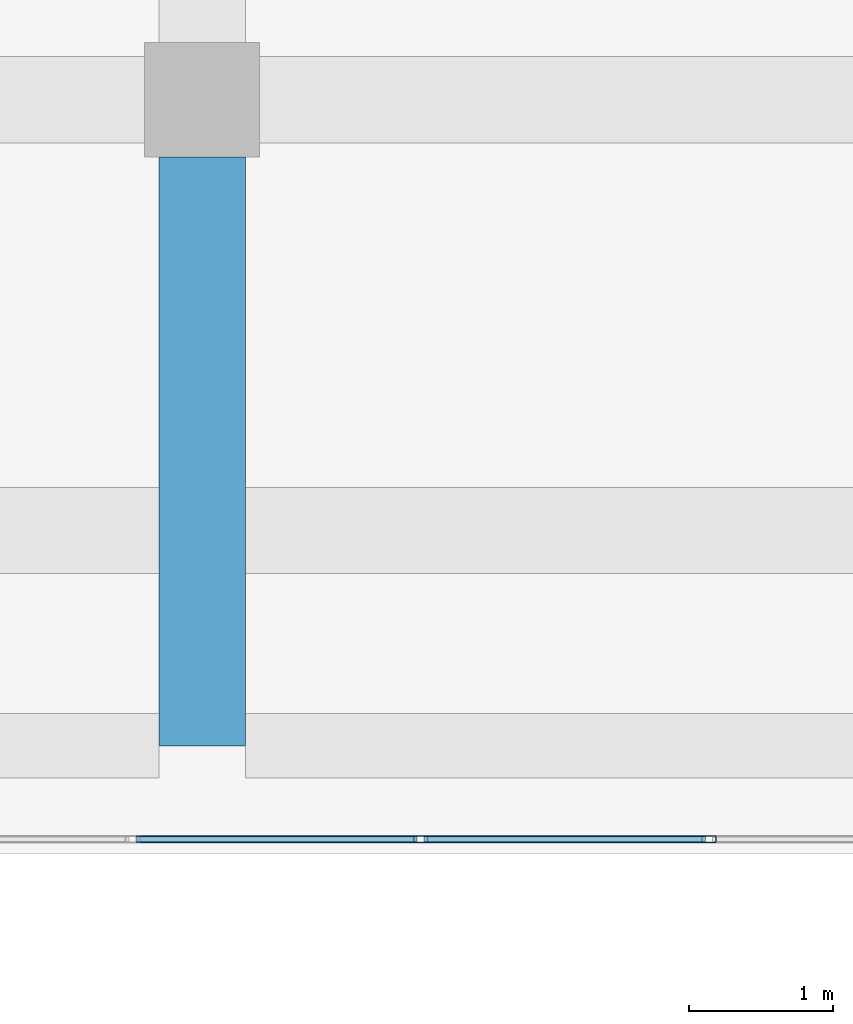
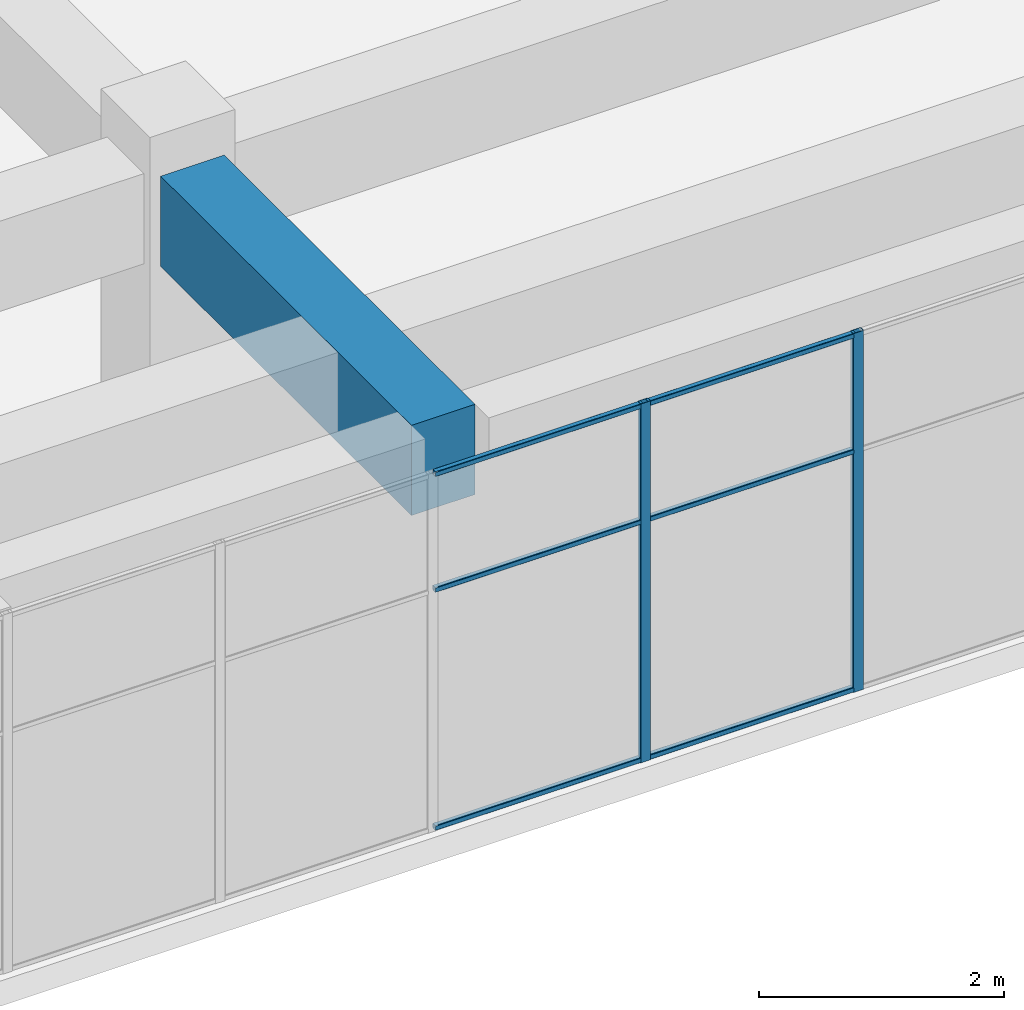
# One storey, part 28 of 72: 8 members, 1 beam, 1 element without a shape of its own.
"""IFC4 building model written with IfcOpenShell, lengths in metres."""

from ifc_helpers import new_model, si_unit, direction, frame, origin, origin_2d, place, context, subcontext, project, spatial, rectangle, hollow_rectangle, extrude, material, layer, layer_set, material_profile, profile_set, type_object, element, aggregate, save


model = new_model("IFC4")

# Units and contexts
model_context = context("Model", 3, precision=1e-05, world=origin(), true_north=direction((0.0, 1.0)))
body_context = subcontext(model_context, "Body", "Model", "MODEL_VIEW")
ifc_project = project(units=[si_unit("LENGTHUNIT", "METRE"), si_unit("AREAUNIT", "SQUARE_METRE"), si_unit("VOLUMEUNIT", "CUBIC_METRE"), si_unit("PLANEANGLEUNIT", "RADIAN"), si_unit("MASSUNIT", "GRAM", prefix="KILO")], contexts=[model_context])

# Site, building, storey
site_placement = place(None, origin())
site = spatial("IfcSite", under=ifc_project, at=site_placement, CompositionType="ELEMENT")
building_placement = place(site_placement, origin())
building = spatial("IfcBuilding", under=site, at=building_placement, Name="Tuart Plaza Theatre", CompositionType="ELEMENT")
storey_placement = place(building_placement, frame((0.0, 0.0, 13.5)))
storey = spatial("IfcBuildingStorey", under=building, at=storey_placement, Name="L03", CompositionType="ELEMENT", Elevation=13.5)

# Beam
ifc_material_1 = material(Name="Concrete N40 (40 MPa)", Category="concrete")
ifc_material_profile_1 = material_profile(ifc_material_1, rectangle(XDim=0.60009765625, YDim=0.89990234375, at=origin_2d()), Name="BEAM 600x900 Concrete N40 (40 MPa)")
ifc_profile_set_1 = profile_set([ifc_material_profile_1], Name="Concrete N40 (40 MPa)")
beam_type = type_object("IfcBeamType", Name="BEAM 600x900 Concrete N40 (40 MPa)", PredefinedType="BEAM", material=ifc_profile_set_1)
beam_placement = place(storey_placement, frame((141.0, 51.5, 3.1298828125), z_axis=(0.0, 1.0, 0.0), x_axis=(-1.0, 0.0, 0.0)))
element("IfcBeam", 1, at=beam_placement, inside=storey, type_object=beam_type, Name="RB188", PredefinedType="BEAM", context=body_context, shape_type="SweptSolid", body=[
    extrude(rectangle(XDim=0.60009765625, YDim=0.89990234375, at=origin_2d()), origin(), (0.0, 0.0, 1.0), 4.10009765625),
])

# Curtain wall, members
ifc_material_2 = material(Name="Aluminium and glass", Category="aluminium")
ifc_layer = layer(ifc_material_2, 0.10009765625)
ifc_layer_set = layer_set([ifc_layer], Name="CURTAIN WALL 2000 module")
curtain_wall_type = type_object("IfcCurtainWallType", Name="CURTAIN WALL 2000 module", PredefinedType="NOTDEFINED", material=ifc_layer_set)
curtain_wall_placement = place(storey_placement, origin())
curtain_wall = element("IfcCurtainWall", 2, at=curtain_wall_placement, inside=storey, type_object=curtain_wall_type, Name="CW68", PredefinedType="NOTDEFINED")
ifc_material_3 = material(Name="Aluminium 6063-T5", Category="aluminium")
ifc_material_profile_2 = material_profile(ifc_material_3, hollow_rectangle(XDim=0.050048828125, YDim=0.10009765625, WallThickness=0.00390625, InnerFilletRadius=0.00390625, OuterFilletRadius=0.008056640625, at=origin_2d()), Name="RHS 100x50x4")
ifc_profile_set_2 = profile_set([ifc_material_profile_2], Name="Aluminium 6063-T5")
member_type_1 = type_object("IfcMemberType", Name="MULLION RHS 100x50x4", PredefinedType="MULLION", material=ifc_profile_set_2)
member_1_placement = place(storey_placement, frame((142.521484375, 50.85009765625, 0.0), z_axis=(0.0, 0.0, 1.0), x_axis=(0.0, 1.0, 0.0)))
member_1 = element("IfcMember", 3, at=member_1_placement, type_object=member_type_1, Name="CW68 mullion 11", PredefinedType="MULLION", context=body_context, shape_type="SweptSolid", body=[
    extrude(hollow_rectangle(XDim=0.050048828125, YDim=0.10009765625, WallThickness=0.00390625, InnerFilletRadius=0.00390625, OuterFilletRadius=0.008056640625, at=origin_2d()), origin(), (0.0, 0.0, 1.0), 3.580078125),
])
member_2_placement = place(storey_placement, frame((144.528564453125, 50.85009765625, 0.0), z_axis=(0.0, 0.0, 1.0), x_axis=(0.0, 1.0, 0.0)))
member_2 = element("IfcMember", 4, at=member_2_placement, type_object=member_type_1, Name="CW68 mullion 12", PredefinedType="MULLION", context=body_context, shape_type="SweptSolid", body=[
    extrude(hollow_rectangle(XDim=0.050048828125, YDim=0.10009765625, WallThickness=0.00390625, InnerFilletRadius=0.00390625, OuterFilletRadius=0.008056640625, at=origin_2d()), origin(), (0.0, 0.0, 1.0), 3.580078125),
])
ifc_material_4 = material(Name="Aluminium 6063-T5", Category="aluminium")
ifc_material_profile_3 = material_profile(ifc_material_4, hollow_rectangle(XDim=0.050048828125, YDim=0.050048828125, WallThickness=0.00390625, InnerFilletRadius=0.00390625, OuterFilletRadius=0.008056640625, at=origin_2d()), Name="RHS 50x50x4")
ifc_profile_set_3 = profile_set([ifc_material_profile_3], Name="Aluminium 6063-T5")
member_type_2 = type_object("IfcMemberType", Name="TRANSOM RHS 50x50x4", PredefinedType="USERDEFINED", material=ifc_profile_set_3)
member_3_placement = place(storey_placement, frame((140.539306640625, 50.85009765625, 0.02490234375), z_axis=(1.0, 0.0, 0.0), x_axis=(0.0, 1.0, 0.0)))
member_3 = element("IfcMember", 5, at=member_3_placement, type_object=member_type_2, Name="CW68 transom 10.1", ObjectType="TRANSOM", PredefinedType="USERDEFINED", context=body_context, shape_type="SweptSolid", body=[
    extrude(hollow_rectangle(XDim=0.050048828125, YDim=0.050048828125, WallThickness=0.00390625, InnerFilletRadius=0.00390625, OuterFilletRadius=0.008056640625, at=origin_2d()), origin(), (0.0, 0.0, 1.0), 1.95703125),
])
member_4_placement = place(storey_placement, frame((140.539306640625, 50.85009765625, 2.39990234375), z_axis=(1.0, 0.0, 0.0), x_axis=(0.0, 1.0, 0.0)))
member_4 = element("IfcMember", 6, at=member_4_placement, type_object=member_type_2, Name="CW68 transom 10.2", ObjectType="TRANSOM", PredefinedType="USERDEFINED", context=body_context, shape_type="SweptSolid", body=[
    extrude(hollow_rectangle(XDim=0.050048828125, YDim=0.050048828125, WallThickness=0.00390625, InnerFilletRadius=0.00390625, OuterFilletRadius=0.008056640625, at=origin_2d()), origin(), (0.0, 0.0, 1.0), 1.95703125),
])
member_5_placement = place(storey_placement, frame((140.539306640625, 50.85009765625, 3.554931640625), z_axis=(1.0, 0.0, 0.0), x_axis=(0.0, 1.0, 0.0)))
member_5 = element("IfcMember", 7, at=member_5_placement, type_object=member_type_2, Name="CW68 transom 10.3", ObjectType="TRANSOM", PredefinedType="USERDEFINED", context=body_context, shape_type="SweptSolid", body=[
    extrude(hollow_rectangle(XDim=0.050048828125, YDim=0.050048828125, WallThickness=0.00390625, InnerFilletRadius=0.00390625, OuterFilletRadius=0.008056640625, at=origin_2d()), origin(), (0.0, 0.0, 1.0), 1.95703125),
])
member_6_placement = place(storey_placement, frame((142.54638671875, 50.85009765625, 0.02490234375), z_axis=(1.0, 0.0, 0.0), x_axis=(0.0, 1.0, 0.0)))
member_6 = element("IfcMember", 8, at=member_6_placement, type_object=member_type_2, Name="CW68 transom 11.1", ObjectType="TRANSOM", PredefinedType="USERDEFINED", context=body_context, shape_type="SweptSolid", body=[
    extrude(hollow_rectangle(XDim=0.050048828125, YDim=0.050048828125, WallThickness=0.00390625, InnerFilletRadius=0.00390625, OuterFilletRadius=0.008056640625, at=origin_2d()), origin(), (0.0, 0.0, 1.0), 1.957275390625),
])
member_7_placement = place(storey_placement, frame((142.54638671875, 50.85009765625, 2.39990234375), z_axis=(1.0, 0.0, 0.0), x_axis=(0.0, 1.0, 0.0)))
member_7 = element("IfcMember", 9, at=member_7_placement, type_object=member_type_2, Name="CW68 transom 11.2", ObjectType="TRANSOM", PredefinedType="USERDEFINED", context=body_context, shape_type="SweptSolid", body=[
    extrude(hollow_rectangle(XDim=0.050048828125, YDim=0.050048828125, WallThickness=0.00390625, InnerFilletRadius=0.00390625, OuterFilletRadius=0.008056640625, at=origin_2d()), origin(), (0.0, 0.0, 1.0), 1.957275390625),
])
member_8_placement = place(storey_placement, frame((142.54638671875, 50.85009765625, 3.554931640625), z_axis=(1.0, 0.0, 0.0), x_axis=(0.0, 1.0, 0.0)))
member_8 = element("IfcMember", 10, at=member_8_placement, type_object=member_type_2, Name="CW68 transom 11.3", ObjectType="TRANSOM", PredefinedType="USERDEFINED", context=body_context, shape_type="SweptSolid", body=[
    extrude(hollow_rectangle(XDim=0.050048828125, YDim=0.050048828125, WallThickness=0.00390625, InnerFilletRadius=0.00390625, OuterFilletRadius=0.008056640625, at=origin_2d()), origin(), (0.0, 0.0, 1.0), 1.957275390625),
])
aggregate(curtain_wall, [member_1, member_2, member_3, member_4, member_5, member_6, member_7, member_8])

save(model, "model.ifc")
